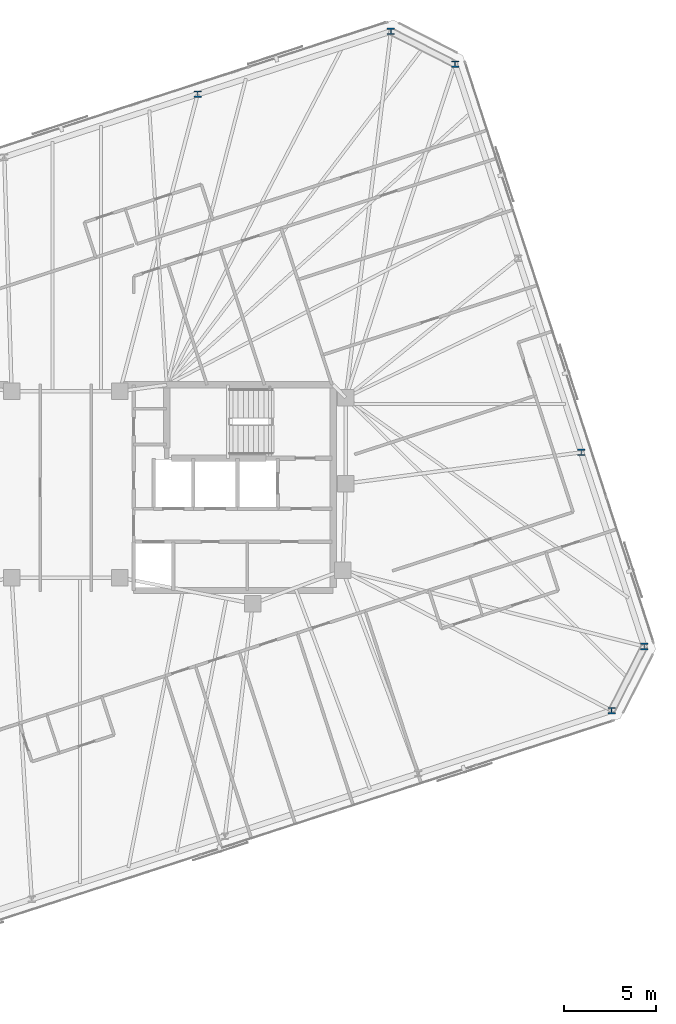
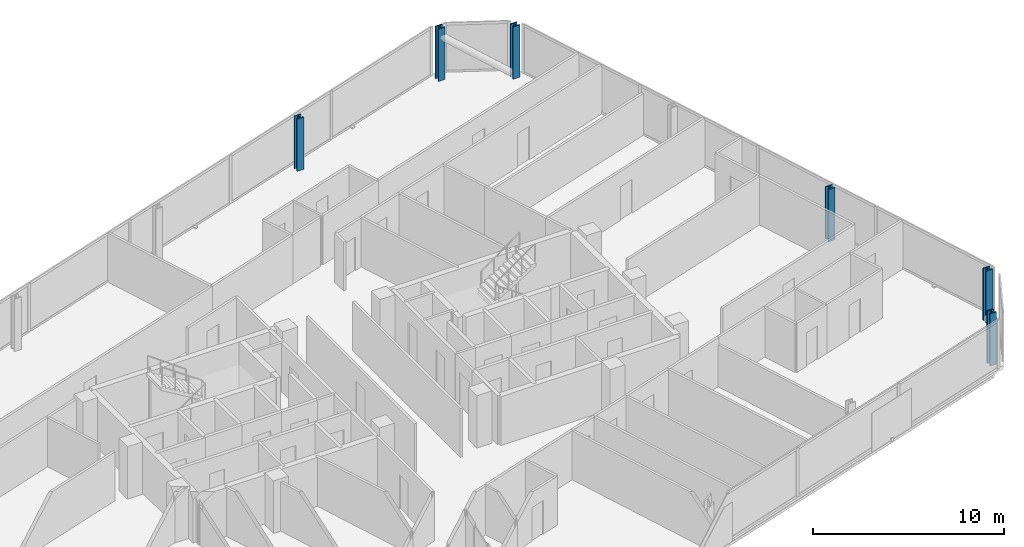
# One storey, part 4 of 19: 6 columns.
"""IFC4 building model written with IfcOpenShell, lengths in metres."""

from ifc_helpers import new_model, si_unit, direction, frame, origin, origin_2d, place, context, subcontext, project, spatial, i_section, extrude, material, material_profile, profile_set, type_object, element, save


model = new_model("IFC4")

# Units and contexts
model_context = context("Model", 3, precision=1e-05, world=origin(), true_north=direction((0.0, 1.0)))
body_context = subcontext(model_context, "Body", "Model", "MODEL_VIEW")
ifc_project = project(units=[si_unit("LENGTHUNIT", "METRE"), si_unit("AREAUNIT", "SQUARE_METRE"), si_unit("VOLUMEUNIT", "CUBIC_METRE"), si_unit("PLANEANGLEUNIT", "RADIAN"), si_unit("MASSUNIT", "GRAM", prefix="KILO")], contexts=[model_context])

# Site, building, storey
site_placement = place(None, origin())
site = spatial("IfcSite", under=ifc_project, at=site_placement, CompositionType="ELEMENT")
building_placement = place(site_placement, origin())
building = spatial("IfcBuilding", under=site, at=building_placement, Name="Menara Jurai Vektor", CompositionType="ELEMENT")
storey_placement = place(building_placement, frame((0.0, 0.0, 214.25)))
storey = spatial("IfcBuildingStorey", under=building, at=storey_placement, Name="L56", CompositionType="ELEMENT", Elevation=214.25)

# Columns
ifc_material = material(Name="Steel S460", Category="steel")
ifc_material_profile = material_profile(ifc_material, i_section(OverallWidth=0.405029296875, OverallDepth=0.35498046875, WebThickness=0.0419921875, FlangeThickness=0.068115234375, FilletRadius=0.014892578125, at=origin_2d()), Name="HD 400x551")
ifc_profile_set = profile_set([ifc_material_profile], Name="Steel S460")
column_type = type_object("IfcColumnType", Name="STR-EXO-BLK4", PredefinedType="COLUMN", material=ifc_profile_set)
for number, where, z_axis, x_axis, name in (
    (1, (29.733642578125, -12.14501953125, 0.0), (0.0, 0.0, 1.0), (1.0, 0.0, 0.0), "Exoskeleton Column BLK4-S6 L56"),
    (2, (31.513427734375, -8.652099609375, 0.0), (0.0, 0.0, 1.0), (1.0, 0.0, 0.0), "Exoskeleton Column BLK4-E1 L56"),
    (3, (28.07763671875, 1.92236328125, 0.0), (0.0, 0.0, 1.0), (1.0, 0.0, 0.0), "Exoskeleton Column BLK4-E2 L56"),
    (4, (21.2060546875, 23.071044921875, 0.0), (0.0, 0.0, 1.0), (1.0, 0.0, 0.0), "Exoskeleton Column BLK4-E4 L56"),
    (5, (17.712890625, 24.85107421875, 0.0), (0.0, 0.0, 1.0), (1.0, 0.0, 0.0), "Exoskeleton Column BLK4-N1 L56"),
    (6, (7.18359375, 21.4296875, 0.0), (0.0, 0.0, 1.0), (1.0, 0.0, 0.0), "Exoskeleton Column BLK4-N2 L56"),
):
    element("IfcColumn", number, at=place(storey_placement, frame(where, z_axis=z_axis, x_axis=x_axis)), inside=storey, type_object=column_type, Name=name, PredefinedType="COLUMN", context=body_context, shape_type="SweptSolid", body=[
        extrude(i_section(OverallWidth=0.405029296875, OverallDepth=0.35498046875, WebThickness=0.0419921875, FlangeThickness=0.068115234375, FilletRadius=0.014892578125, at=origin_2d()), origin(), (0.0, 0.0, 1.0), 3.35009765625),
    ])

save(model, "model.ifc")
